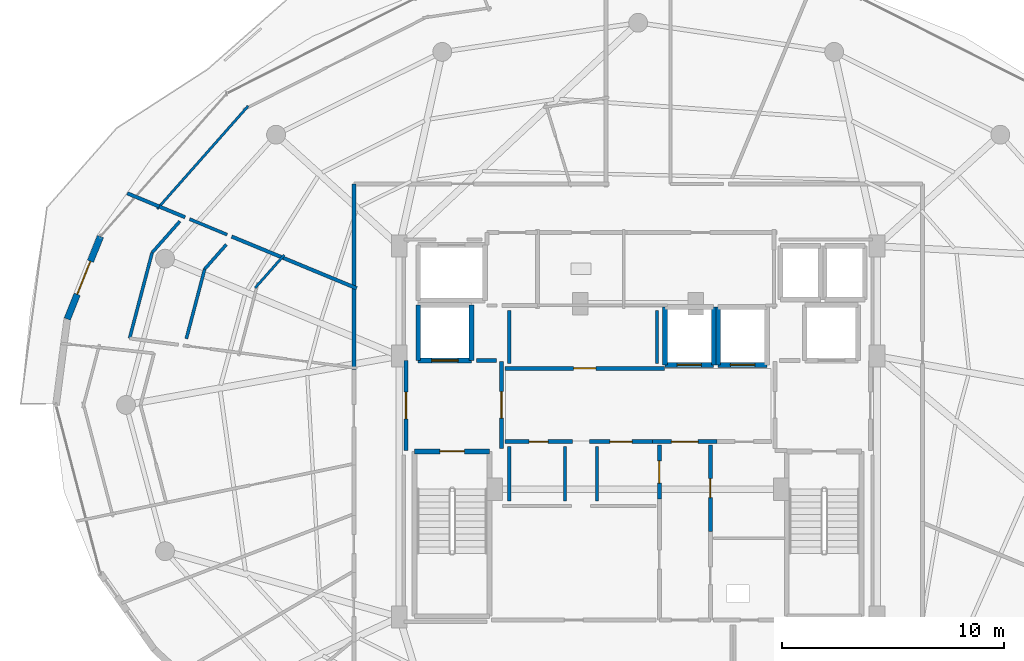
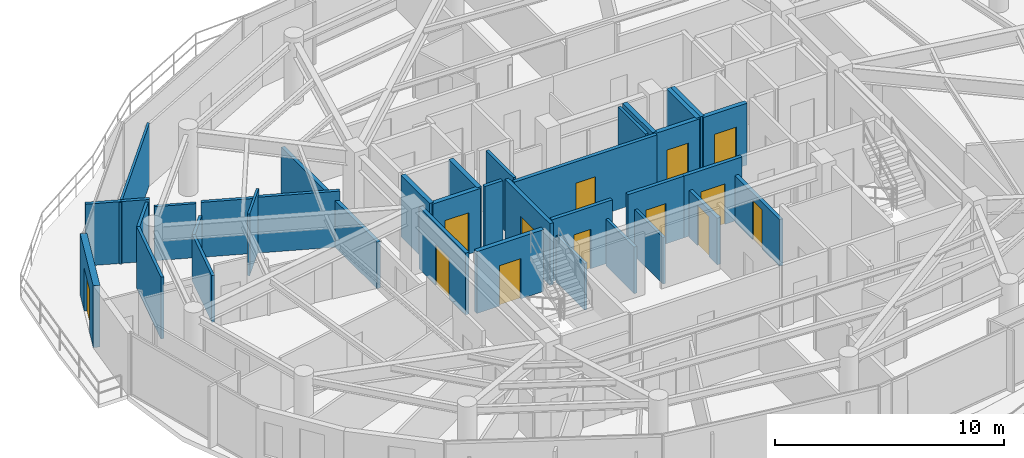
# One storey, part 23 of 30: 37 walls, 13 doors, 13 openings.
"""IFC4 building model written with IfcOpenShell, lengths in metres."""

from ifc_helpers import new_model, si_unit, direction, frame, frame_2d, origin, place, context, subcontext, project, spatial, rectangle, extrude, material, layer, layer_set, type_object, element, fill, save


model = new_model("IFC4")

# Units and contexts
model_context = context("Model", 3, precision=1e-05, world=origin(), true_north=direction((0.0, 1.0)))
body_context = subcontext(model_context, "Body", "Model", "MODEL_VIEW")
ifc_project = project(units=[si_unit("LENGTHUNIT", "METRE"), si_unit("AREAUNIT", "SQUARE_METRE"), si_unit("VOLUMEUNIT", "CUBIC_METRE"), si_unit("PLANEANGLEUNIT", "RADIAN"), si_unit("MASSUNIT", "GRAM", prefix="KILO")], contexts=[model_context])

# Site, building, storey
site_placement = place(None, origin())
site = spatial("IfcSite", under=ifc_project, at=site_placement, CompositionType="ELEMENT")
building_placement = place(site_placement, origin())
building = spatial("IfcBuilding", under=site, at=building_placement, Name="Vorneva Point Tower", CompositionType="ELEMENT")
storey_placement = place(building_placement, frame((0.0, 0.0, 241.35009765625)))
storey = spatial("IfcBuildingStorey", under=building, at=storey_placement, Name="L65", CompositionType="ELEMENT", Elevation=241.35009765625)

# Wall, opening, door
ifc_material_1 = material(Name="Concrete B60 (C50/60)", Category="concrete")
ifc_layer_1 = layer(ifc_material_1, 0.35009765625)
ifc_layer_set_1 = layer_set([ifc_layer_1], Name="Concrete B60 (C50/60)")
wall_type_1 = type_object("IfcWallType", Name="WL-CORE-350", PredefinedType="SHEAR", material=ifc_layer_set_1)
wall_1_placement = place(storey_placement, frame((28.10009765625, 28.0, 0.0), z_axis=(0.0, 0.0, 1.0), x_axis=(1.0, 0.0, 0.0)))
wall_1 = element("IfcWall", 1, at=wall_1_placement, inside=storey, type_object=wall_type_1, Name="L65 Lift FFL1 Shaft Wall -Y", PredefinedType="SHEAR", context=body_context, shape_type="SweptSolid", body=[
    extrude(rectangle(XDim=2.39990234375, YDim=0.219970703125, at=frame_2d((1.199951171875, 0.0))), origin(), (0.0, 0.0, 1.0), 3.289794921875),
])
opening_1_placement = place(wall_1_placement, frame((0.60009765625, 0.0, 0.0)))
opening_1 = element("IfcOpeningElement", 2, at=opening_1_placement, cuts=wall_1, Name="Opening LD-02", PredefinedType="OPENING", context=body_context, shape_type="SweptSolid", body=[
    extrude(rectangle(XDim=1.199951171875, YDim=2.199951171875, at=frame_2d((0.60009765625, 1.10009765625))), frame((0.0, 0.125, 0.0), z_axis=(0.0, -1.0, 0.0), x_axis=(1.0, 0.0, 0.0)), (0.0, 0.0, 1.0), 0.249755859375),
])
ifc_material_2 = material(Name="Brushed stainless steel S304", Category="steel")
door_type_1 = type_object("IfcDoorType", Name="LD-FIRE-1200", OperationType="SLIDING_TO_LEFT", PredefinedType="DOOR", material=ifc_material_2)
door_1_placement = place(opening_1_placement, origin())
door_1 = element("IfcDoor", 3, at=door_1_placement, inside=storey, type_object=door_type_1, Name="L65 Lift FFL1 Sliding Landing Door", OperationType="SLIDING_TO_LEFT", OverallHeight=2.199951171875, OverallWidth=1.199951171875, PredefinedType="DOOR", context=body_context, shape_type="SweptSolid", body=[
    extrude(rectangle(XDim=1.199951171875, YDim=2.199951171875, at=frame_2d((0.60009765625, 1.10009765625))), frame((0.0, 0.02490234375, 0.0), z_axis=(0.0, -1.0, 0.0), x_axis=(1.0, 0.0, 0.0)), (0.0, 0.0, 1.0), 0.050048828125),
])
fill(opening_1, door_1)

# Walls
for number, where, z_axis, x_axis, name in (
    (4, (30.5, 28.0, 0.0), (0.0, 0.0, 1.0), (0.0, 1.0, 0.0), "L65 Lift FFL1 Shaft Wall +X"),
    (5, (28.10009765625, 30.5, 0.0), (0.0, 0.0, 1.0), (0.0, -1.0, 0.0), "L65 Lift FFL1 Shaft Wall -X"),
):
    element("IfcWall", number, at=place(storey_placement, frame(where, z_axis=z_axis, x_axis=x_axis)), inside=storey, type_object=wall_type_1, Name=name, PredefinedType="SHEAR", context=body_context, shape_type="SweptSolid", body=[
        extrude(rectangle(XDim=2.5, YDim=0.219970703125, at=frame_2d((1.25, 0.0))), origin(), (0.0, 0.0, 1.0), 3.289794921875),
    ])

# Wall, opening, door
ifc_material_3 = material(Name="Precast concrete B50 (C40/50)", Category="concrete")
ifc_layer_2 = layer(ifc_material_3, 0.300048828125)
ifc_layer_set_2 = layer_set([ifc_layer_2], Name="Precast concrete B50 (C40/50)")
wall_type_2 = type_object("IfcWallType", Name="WL-EXT-300", PredefinedType="STANDARD", material=ifc_layer_set_2)
wall_2_placement = place(storey_placement, frame((13.79443359375, 33.5810546875, 0.0), z_axis=(0.0, 0.0, 1.0), x_axis=(-0.37234708598, -0.928093555393, 0.0)))
wall_2 = element("IfcWall", 6, at=wall_2_placement, inside=storey, type_object=wall_type_2, Name="L65 Pale-Metal Facade Spandrel Wall 08.1", PredefinedType="STANDARD", context=body_context, shape_type="SweptSolid", body=[
    extrude(rectangle(XDim=4.004150390625, YDim=0.300048828125, at=frame_2d((2.001953125, 0.0))), origin(), (0.0, 0.0, 1.0), 3.289794921875),
])
opening_2_placement = place(wall_2_placement, frame((1.2021484375, 0.0, 0.0)))
opening_2 = element("IfcOpeningElement", 7, at=opening_2_placement, cuts=wall_2, Name="Opening BD-01", PredefinedType="OPENING", context=body_context, shape_type="SweptSolid", body=[
    extrude(rectangle(XDim=1.60009765625, YDim=2.300048828125, at=frame_2d((0.800048828125, 1.14990234375))), frame((0.0, 0.1650390625, 0.0), z_axis=(0.0, -1.0, 0.0), x_axis=(1.0, 0.0, 0.0)), (0.0, 0.0, 1.0), 0.329833984375),
])
ifc_material_4 = material(Name="Pale anodised aluminium", Category="aluminium")
door_type_2 = type_object("IfcDoorType", Name="DR-BAL-1600", OperationType="SLIDING_TO_LEFT", PredefinedType="DOOR", material=ifc_material_4)
door_2_placement = place(opening_2_placement, origin())
door_2 = element("IfcDoor", 8, at=door_2_placement, inside=storey, type_object=door_type_2, Name="L65 Balcony Terrace Access Door 08", OperationType="SLIDING_TO_LEFT", OverallHeight=2.300048828125, OverallWidth=1.60009765625, PredefinedType="DOOR", context=body_context, shape_type="SweptSolid", body=[
    extrude(rectangle(XDim=1.60009765625, YDim=2.300048828125, at=frame_2d((0.800048828125, 1.14990234375))), frame((0.0, 0.02490234375, 0.0), z_axis=(0.0, -1.0, 0.0), x_axis=(1.0, 0.0, 0.0)), (0.0, 0.0, 1.0), 0.050048828125),
])
fill(opening_2, door_2)

# Walls
ifc_material_5 = material(Name="Fire-rated acoustic gypsum stud partition", Category="gypsum")
ifc_layer_3 = layer(ifc_material_5, 0.110107421875)
ifc_layer_set_3 = layer_set([ifc_layer_3], Name="Fire-rated acoustic gypsum stud partition")
wall_type_3 = type_object("IfcWallType", Name="WL-PART-110", PredefinedType="PARTITIONING", material=ifc_layer_set_3)
wall_3_placement = place(storey_placement, frame((20.443603515625, 39.451904296875, 0.0), z_axis=(0.0, 0.0, 1.0), x_axis=(-0.662167862663, -0.749355537549, 0.0)))
element("IfcWall", 9, at=wall_3_placement, inside=storey, type_object=wall_type_3, Name="L65 Interior Partition 058", PredefinedType="PARTITIONING", context=body_context, shape_type="SweptSolid", body=[
    extrude(rectangle(XDim=6.17724609375, YDim=0.110107421875, at=frame_2d((3.088623046875, 0.0))), origin(), (0.0, 0.0, 1.0), 3.289794921875),
])
wall_4_placement = place(storey_placement, frame((20.76025390625, 31.26611328125, 0.0), z_axis=(0.0, 0.0, 1.0), x_axis=(0.662047420969, 0.749461948593, 0.0)))
element("IfcWall", 10, at=wall_4_placement, inside=storey, type_object=wall_type_3, Name="L65 Interior Partition 074", PredefinedType="PARTITIONING", context=body_context, shape_type="SweptSolid", body=[
    extrude(rectangle(XDim=1.9716796875, YDim=0.110107421875, at=frame_2d((0.98583984375, 0.0))), origin(), (0.0, 0.0, 1.0), 3.289794921875),
])
ifc_layer_4 = layer(ifc_material_5, 0.139892578125)
ifc_layer_set_4 = layer_set([ifc_layer_4], Name="Fire-rated acoustic gypsum stud partition")
wall_type_4 = type_object("IfcWallType", Name="WL-PART-140", PredefinedType="PARTITIONING", material=ifc_layer_set_4)
for number, where, z_axis, x_axis, name in (
    (11, (32.199951171875, 30.260009765625, 0.0), (0.0, 0.0, 1.0), (0.0, -1.0, 0.0), "L65 Interior Closure Partition 096"),
    (12, (38.85009765625, 27.8701171875, 0.0), (0.0, 0.0, 1.0), (0.0, 1.0, 0.0), "L65 Interior Closure Partition 097"),
):
    element("IfcWall", number, at=place(storey_placement, frame(where, z_axis=z_axis, x_axis=x_axis)), inside=storey, type_object=wall_type_4, Name=name, PredefinedType="PARTITIONING", context=body_context, shape_type="SweptSolid", body=[
        extrude(rectangle(XDim=2.389892578125, YDim=0.139892578125, at=frame_2d((1.19482421875, 0.0))), origin(), (0.0, 0.0, 1.0), 3.289794921875),
    ])
for number, where, z_axis, x_axis, name in (
    (13, (32.199951171875, 24.1298828125, 0.0), (0.0, 0.0, 1.0), (0.0, -1.0, 0.0), "L65 Interior Closure Partition 098"),
    (14, (34.699951171875, 21.669921875, 0.0), (0.0, 0.0, 1.0), (0.0, 1.0, 0.0), "L65 Interior Closure Partition 099"),
    (15, (36.14990234375, 24.1298828125, 0.0), (0.0, 0.0, 1.0), (0.0, -1.0, 0.0), "L65 Interior Closure Partition 100"),
):
    element("IfcWall", number, at=place(storey_placement, frame(where, z_axis=z_axis, x_axis=x_axis)), inside=storey, type_object=wall_type_4, Name=name, PredefinedType="PARTITIONING", context=body_context, shape_type="SweptSolid", body=[
        extrude(rectangle(XDim=2.4599609375, YDim=0.139892578125, at=frame_2d((1.22998046875, 0.0))), origin(), (0.0, 0.0, 1.0), 2.48193359375),
    ])
wall_5_placement = place(storey_placement, frame((17.81005859375, 34.363037109375, 0.0), z_axis=(0.0, 0.0, 1.0), x_axis=(0.923888322618, -0.382662210481, 0.0)))
element("IfcWall", 16, at=wall_5_placement, inside=storey, type_object=wall_type_4, Name="L65 Interior Closure Partition 116", PredefinedType="PARTITIONING", context=body_context, shape_type="SweptSolid", body=[
    extrude(rectangle(XDim=1.8291015625, YDim=0.139892578125, at=frame_2d((0.91455078125, 0.0))), origin(), (0.0, 0.0, 1.0), 2.8740234375),
])
wall_6_placement = place(storey_placement, frame((15.10791015625, 28.993896484375, 0.0), z_axis=(0.0, 0.0, 1.0), x_axis=(0.254393917139, 0.967100684997, 0.0)))
element("IfcWall", 17, at=wall_6_placement, inside=storey, type_object=wall_type_4, Name="L65 Interior Closure Partition 118", PredefinedType="PARTITIONING", context=body_context, shape_type="SweptSolid", body=[
    extrude(rectangle(XDim=3.990478515625, YDim=0.139892578125, at=frame_2d((1.9951171875, 0.0))), origin(), (0.0, 0.0, 1.0), 3.289794921875),
])
wall_7_placement = place(storey_placement, frame((16.123046875, 32.85302734375, 0.0), z_axis=(0.0, 0.0, 1.0), x_axis=(0.662302679983, 0.749236384652, 0.0)))
element("IfcWall", 18, at=wall_7_placement, inside=storey, type_object=wall_type_4, Name="L65 Interior Closure Partition 119", PredefinedType="PARTITIONING", context=body_context, shape_type="SweptSolid", body=[
    extrude(rectangle(XDim=1.884521484375, YDim=0.139892578125, at=frame_2d((0.9423828125, 0.0))), origin(), (0.0, 0.0, 1.0), 3.289794921875),
])
wall_8_placement = place(storey_placement, frame((19.4619140625, 33.215087890625, 0.0), z_axis=(0.0, 0.0, 1.0), x_axis=(-0.661857573224, -0.749629610385, 0.0)))
element("IfcWall", 19, at=wall_8_placement, inside=storey, type_object=wall_type_4, Name="L65 Interior Closure Partition 120", PredefinedType="PARTITIONING", context=body_context, shape_type="SweptSolid", body=[
    extrude(rectangle(XDim=1.471435546875, YDim=0.139892578125, at=frame_2d((0.73583984375, 0.0))), origin(), (0.0, 0.0, 1.0), 2.48193359375),
])
wall_9_placement = place(storey_placement, frame((18.488037109375, 32.112060546875, 0.0), z_axis=(0.0, 0.0, 1.0), x_axis=(-0.254626828673, -0.967039388091, 0.0)))
element("IfcWall", 20, at=wall_9_placement, inside=storey, type_object=wall_type_4, Name="L65 Interior Closure Partition 121", PredefinedType="PARTITIONING", context=body_context, shape_type="SweptSolid", body=[
    extrude(rectangle(XDim=3.23974609375, YDim=0.139892578125, at=frame_2d((1.619873046875, 0.0))), origin(), (0.0, 0.0, 1.0), 2.48193359375),
])
ifc_layer_5 = layer(ifc_material_5, 0.159912109375)
ifc_layer_set_5 = layer_set([ifc_layer_5], Name="Fire-rated acoustic gypsum stud partition")
wall_type_5 = type_object("IfcWallType", Name="WL-PART-160", PredefinedType="PARTITIONING", material=ifc_layer_set_5)
wall_10_placement = place(storey_placement, frame((16.446044921875, 34.927978515625, 0.0), z_axis=(0.0, 0.0, 1.0), x_axis=(0.923851056351, -0.382752172663, 0.0)))
element("IfcWall", 21, at=wall_10_placement, inside=storey, type_object=wall_type_5, Name="L65 Interior Partition 060", PredefinedType="PARTITIONING", context=body_context, shape_type="SweptSolid", body=[
    extrude(rectangle(XDim=1.256591796875, YDim=0.159912109375, at=frame_2d((0.62841796875, 0.0))), origin(), (0.0, 0.0, 1.0), 3.289794921875),
])
wall_11_placement = place(storey_placement, frame((19.702880859375, 33.5791015625, 0.0), z_axis=(0.0, 0.0, 1.0), x_axis=(0.923878502515, -0.382685918986, 0.0)))
element("IfcWall", 22, at=wall_11_placement, inside=storey, type_object=wall_type_5, Name="L65 Interior Partition 061", PredefinedType="PARTITIONING", context=body_context, shape_type="SweptSolid", body=[
    extrude(rectangle(XDim=2.516845703125, YDim=0.159912109375, at=frame_2d((1.25830078125, 0.0))), origin(), (0.0, 0.0, 1.0), 2.923828125),
])
wall_12_placement = place(storey_placement, frame((21.898681640625, 32.66943359375, 0.0), z_axis=(0.0, 0.0, 1.0), x_axis=(0.9238685833, -0.382709865029, 0.0)))
element("IfcWall", 23, at=wall_12_placement, inside=storey, type_object=wall_type_5, Name="L65 Interior Partition 062", PredefinedType="PARTITIONING", context=body_context, shape_type="SweptSolid", body=[
    extrude(rectangle(XDim=3.71337890625, YDim=0.159912109375, at=frame_2d((1.856689453125, 0.0))), origin(), (0.0, 0.0, 1.0), 2.971923828125),
])
wall_13_placement = place(storey_placement, frame((15.003662109375, 35.525634765625, 0.0), z_axis=(0.0, 0.0, 1.0), x_axis=(0.923843638485, -0.382770076719, 0.0)))
element("IfcWall", 24, at=wall_13_placement, inside=storey, type_object=wall_type_5, Name="L65 Interior Partition 063", PredefinedType="PARTITIONING", context=body_context, shape_type="SweptSolid", body=[
    extrude(rectangle(XDim=1.701171875, YDim=0.159912109375, at=frame_2d((0.8505859375, 0.0))), origin(), (0.0, 0.0, 1.0), 3.289794921875),
])

# Wall, opening, door
ifc_material_6 = material(Name="Autoclaved aerated concrete blockwork", Category="masonry")
ifc_layer_6 = layer(ifc_material_6, 0.179931640625)
ifc_layer_set_6 = layer_set([ifc_layer_6], Name="Autoclaved aerated concrete blockwork")
wall_type_6 = type_object("IfcWallType", Name="WL-PART-180", PredefinedType="PARTITIONING", material=ifc_layer_set_6)
wall_14_placement = place(storey_placement, frame((31.85009765625, 24.044921875, 0.0), z_axis=(0.0, 0.0, 1.0), x_axis=(0.0, 1.0, 0.0)))
wall_14 = element("IfcWall", 25, at=wall_14_placement, inside=storey, type_object=wall_type_6, Name="L65 Interior Partition 001", PredefinedType="PARTITIONING", context=body_context, shape_type="SweptSolid", body=[
    extrude(rectangle(XDim=3.91015625, YDim=0.179931640625, at=frame_2d((1.955078125, 0.0))), origin(), (0.0, 0.0, 1.0), 3.289794921875),
])
opening_3_placement = place(wall_14_placement, frame((1.35498046875, 0.0, 0.0)))
opening_3 = element("IfcOpeningElement", 26, at=opening_3_placement, cuts=wall_14, Name="Opening FD-02", PredefinedType="OPENING", context=body_context, shape_type="SweptSolid", body=[
    extrude(rectangle(XDim=1.199951171875, YDim=2.14990234375, at=frame_2d((0.60009765625, 1.074951171875))), frame((0.0, 0.10498046875, 0.0), z_axis=(0.0, -1.0, 0.0), x_axis=(1.0, 0.0, 0.0)), (0.0, 0.0, 1.0), 0.209716796875),
])
ifc_material_7 = material(Name="Fire-rated powder-coated steel", Category="steel")
door_type_3 = type_object("IfcDoorType", Name="DR-FFL-1200", OperationType="NOTDEFINED", PredefinedType="DOOR", material=ifc_material_7)
door_3_placement = place(opening_3_placement, origin())
door_3 = element("IfcDoor", 27, at=door_3_placement, inside=storey, type_object=door_type_3, Name="L65 Door West Firefighting Lobby / Central Lift Lobby", OperationType="SINGLE_SWING_RIGHT", OverallHeight=2.14990234375, OverallWidth=1.199951171875, PredefinedType="DOOR", context=body_context, shape_type="SweptSolid", body=[
    extrude(rectangle(XDim=1.199951171875, YDim=2.14990234375, at=frame_2d((0.60009765625, 1.074951171875))), frame((0.0, 0.02490234375, 0.0), z_axis=(0.0, -1.0, 0.0), x_axis=(1.0, 0.0, 0.0)), (0.0, 0.0, 1.0), 0.050048828125),
])
fill(opening_3, door_3)

wall_15_placement = place(storey_placement, frame((27.550048828125, 28.0, 0.0), z_axis=(0.0, 0.0, 1.0), x_axis=(0.0, -1.0, 0.0)))
wall_15 = element("IfcWall", 28, at=wall_15_placement, inside=storey, type_object=wall_type_6, Name="L65 Interior Partition 002", PredefinedType="PARTITIONING", context=body_context, shape_type="SweptSolid", body=[
    extrude(rectangle(XDim=4.050048828125, YDim=0.179931640625, at=frame_2d((2.02490234375, 0.0))), origin(), (0.0, 0.0, 1.0), 3.289794921875),
])
opening_4_placement = place(wall_15_placement, frame((1.425048828125, 0.0, 0.0)))
opening_4 = element("IfcOpeningElement", 29, at=opening_4_placement, cuts=wall_15, Name="Opening FD-02", PredefinedType="OPENING", context=body_context, shape_type="SweptSolid", body=[
    extrude(rectangle(XDim=1.199951171875, YDim=2.14990234375, at=frame_2d((0.60009765625, 1.074951171875))), frame((0.0, 0.10498046875, 0.0), z_axis=(0.0, -1.0, 0.0), x_axis=(1.0, 0.0, 0.0)), (0.0, 0.0, 1.0), 0.209716796875),
])
door_4_placement = place(opening_4_placement, origin())
door_4 = element("IfcDoor", 30, at=door_4_placement, inside=storey, type_object=door_type_3, Name="L65 Door West Firefighting Lobby / L65 Circulation Corridor", OperationType="SINGLE_SWING_RIGHT", OverallHeight=2.14990234375, OverallWidth=1.199951171875, PredefinedType="DOOR", context=body_context, shape_type="SweptSolid", body=[
    extrude(rectangle(XDim=1.199951171875, YDim=2.14990234375, at=frame_2d((0.60009765625, 1.074951171875))), frame((0.0, 0.02490234375, 0.0), z_axis=(0.0, -1.0, 0.0), x_axis=(1.0, 0.0, 0.0)), (0.0, 0.0, 1.0), 0.050048828125),
])
fill(opening_4, door_4)

wall_16_placement = place(storey_placement, frame((38.64501953125, 24.35009765625, 0.0), z_axis=(0.0, 0.0, 1.0), x_axis=(1.0, 0.0, 0.0)))
wall_16 = element("IfcWall", 31, at=wall_16_placement, inside=storey, type_object=wall_type_6, Name="L65 Interior Partition 010", PredefinedType="PARTITIONING", context=body_context, shape_type="SweptSolid", body=[
    extrude(rectangle(XDim=2.909912109375, YDim=0.179931640625, at=frame_2d((1.455078125, 0.0))), origin(), (0.0, 0.0, 1.0), 3.289794921875),
])
opening_5_placement = place(wall_16_placement, frame((0.85498046875, 0.0, 0.0)))
opening_5 = element("IfcOpeningElement", 32, at=opening_5_placement, cuts=wall_16, Name="Opening FD-02", PredefinedType="OPENING", context=body_context, shape_type="SweptSolid", body=[
    extrude(rectangle(XDim=1.199951171875, YDim=2.14990234375, at=frame_2d((0.60009765625, 1.074951171875))), frame((0.0, 0.10498046875, 0.0), z_axis=(0.0, -1.0, 0.0), x_axis=(1.0, 0.0, 0.0)), (0.0, 0.0, 1.0), 0.209716796875),
])
door_5_placement = place(opening_5_placement, origin())
door_5 = element("IfcDoor", 33, at=door_5_placement, inside=storey, type_object=door_type_3, Name="L65 Door Central Lift Lobby / Core Service Lobby", OperationType="SINGLE_SWING_LEFT", OverallHeight=2.14990234375, OverallWidth=1.199951171875, PredefinedType="DOOR", context=body_context, shape_type="SweptSolid", body=[
    extrude(rectangle(XDim=1.199951171875, YDim=2.14990234375, at=frame_2d((0.60009765625, 1.074951171875))), frame((0.0, 0.02490234375, 0.0), z_axis=(0.0, -1.0, 0.0), x_axis=(1.0, 0.0, 0.0)), (0.0, 0.0, 1.0), 0.050048828125),
])
fill(opening_5, door_5)

wall_17_placement = place(storey_placement, frame((39.18994140625, 27.64990234375, 0.0), z_axis=(0.0, 0.0, 1.0), x_axis=(-1.0, 0.0, 0.0)))
wall_17 = element("IfcWall", 34, at=wall_17_placement, inside=storey, type_object=wall_type_6, Name="L65 Interior Partition 012", PredefinedType="PARTITIONING", context=body_context, shape_type="SweptSolid", body=[
    extrude(rectangle(XDim=7.18994140625, YDim=0.179931640625, at=frame_2d((3.594970703125, 0.0))), origin(), (0.0, 0.0, 1.0), 3.289794921875),
])
opening_6_placement = place(wall_17_placement, frame((3.094970703125, 0.0, 0.0)))
opening_6 = element("IfcOpeningElement", 35, at=opening_6_placement, cuts=wall_17, Name="Opening UD-01", PredefinedType="OPENING", context=body_context, shape_type="SweptSolid", body=[
    extrude(rectangle(XDim=1.0, YDim=2.14990234375, at=frame_2d((0.5, 1.074951171875))), frame((0.0, 0.10498046875, 0.0), z_axis=(0.0, -1.0, 0.0), x_axis=(1.0, 0.0, 0.0)), (0.0, 0.0, 1.0), 0.209716796875),
])
ifc_material_8 = material(Name="Engineered oak fire-rated door leaf", Category="wood")
door_type_4 = type_object("IfcDoorType", Name="DR-UNIT-1000", OperationType="NOTDEFINED", PredefinedType="DOOR", material=ifc_material_8)
door_6_placement = place(opening_6_placement, origin())
door_6 = element("IfcDoor", 36, at=door_6_placement, inside=storey, type_object=door_type_4, Name="L65 Door Central Lift Lobby / Reclaimed Core Meeting Room", OperationType="SINGLE_SWING_LEFT", OverallHeight=2.14990234375, OverallWidth=1.0, PredefinedType="DOOR", context=body_context, shape_type="SweptSolid", body=[
    extrude(rectangle(XDim=1.0, YDim=2.14990234375, at=frame_2d((0.5, 1.074951171875))), frame((0.0, 0.02490234375, 0.0), z_axis=(0.0, -1.0, 0.0), x_axis=(1.0, 0.0, 0.0)), (0.0, 0.0, 1.0), 0.050048828125),
])
fill(opening_6, door_6)

wall_18_placement = place(storey_placement, frame((32.0, 24.35009765625, 0.0), z_axis=(0.0, 0.0, 1.0), x_axis=(1.0, 0.0, 0.0)))
wall_18 = element("IfcWall", 37, at=wall_18_placement, inside=storey, type_object=wall_type_6, Name="L65 Interior Partition 013", PredefinedType="PARTITIONING", context=body_context, shape_type="SweptSolid", body=[
    extrude(rectangle(XDim=3.0400390625, YDim=0.179931640625, at=frame_2d((1.52001953125, 0.0))), origin(), (0.0, 0.0, 1.0), 3.289794921875),
])
opening_7_placement = place(wall_18_placement, frame((1.094970703125, 0.0, 0.0)))
opening_7 = element("IfcOpeningElement", 38, at=opening_7_placement, cuts=wall_18, Name="Opening ID-02", PredefinedType="OPENING", context=body_context, shape_type="SweptSolid", body=[
    extrude(rectangle(XDim=0.85009765625, YDim=2.10009765625, at=frame_2d((0.425048828125, 1.050048828125))), frame((0.0, 0.10498046875, 0.0), z_axis=(0.0, -1.0, 0.0), x_axis=(1.0, 0.0, 0.0)), (0.0, 0.0, 1.0), 0.209716796875),
])
door_type_5 = type_object("IfcDoorType", Name="DR-BATH-850", OperationType="NOTDEFINED", PredefinedType="DOOR", material=ifc_material_8)
door_7_placement = place(opening_7_placement, origin())
door_7 = element("IfcDoor", 39, at=door_7_placement, inside=storey, type_object=door_type_5, Name="L65 Door Central Lift Lobby / Reclaimed High-Zone Valet Room", OperationType="SINGLE_SWING_RIGHT", OverallHeight=2.10009765625, OverallWidth=0.85009765625, PredefinedType="DOOR", context=body_context, shape_type="SweptSolid", body=[
    extrude(rectangle(XDim=0.85009765625, YDim=2.10009765625, at=frame_2d((0.425048828125, 1.050048828125))), frame((0.0, 0.02490234375, 0.0), z_axis=(0.0, -1.0, 0.0), x_axis=(1.0, 0.0, 0.0)), (0.0, 0.0, 1.0), 0.050048828125),
])
fill(opening_7, door_7)

wall_19_placement = place(storey_placement, frame((35.81005859375, 24.35009765625, 0.0), z_axis=(0.0, 0.0, 1.0), x_axis=(1.0, 0.0, 0.0)))
wall_19 = element("IfcWall", 40, at=wall_19_placement, inside=storey, type_object=wall_type_6, Name="L65 Interior Partition 014", PredefinedType="PARTITIONING", context=body_context, shape_type="SweptSolid", body=[
    extrude(rectangle(XDim=2.8349609375, YDim=0.179931640625, at=frame_2d((1.41748046875, 0.0))), origin(), (0.0, 0.0, 1.0), 3.289794921875),
])
opening_8_placement = place(wall_19_placement, frame((0.91748046875, 0.0, 0.0)))
opening_8 = element("IfcOpeningElement", 41, at=opening_8_placement, cuts=wall_19, Name="Opening UD-01", PredefinedType="OPENING", context=body_context, shape_type="SweptSolid", body=[
    extrude(rectangle(XDim=1.0, YDim=2.14990234375, at=frame_2d((0.5, 1.074951171875))), frame((0.0, 0.10498046875, 0.0), z_axis=(0.0, -1.0, 0.0), x_axis=(1.0, 0.0, 0.0)), (0.0, 0.0, 1.0), 0.209716796875),
])
door_8_placement = place(opening_8_placement, origin())
door_8 = element("IfcDoor", 42, at=door_8_placement, inside=storey, type_object=door_type_4, Name="L65 Door Central Lift Lobby / Reclaimed High-Zone Tasting Room", OperationType="SINGLE_SWING_LEFT", OverallHeight=2.14990234375, OverallWidth=1.0, PredefinedType="DOOR", context=body_context, shape_type="SweptSolid", body=[
    extrude(rectangle(XDim=1.0, YDim=2.14990234375, at=frame_2d((0.5, 1.074951171875))), frame((0.0, 0.02490234375, 0.0), z_axis=(0.0, -1.0, 0.0), x_axis=(1.0, 0.0, 0.0)), (0.0, 0.0, 1.0), 0.050048828125),
])
fill(opening_8, door_8)

wall_20_placement = place(storey_placement, frame((41.25, 20.304931640625, 0.0), z_axis=(0.0, 0.0, 1.0), x_axis=(0.0, 1.0, 0.0)))
wall_20 = element("IfcWall", 43, at=wall_20_placement, inside=storey, type_object=wall_type_6, Name="L65 Interior Partition 016", PredefinedType="PARTITIONING", context=body_context, shape_type="SweptSolid", body=[
    extrude(rectangle(XDim=3.89501953125, YDim=0.179931640625, at=frame_2d((1.947509765625, 0.0))), origin(), (0.0, 0.0, 1.0), 2.48193359375),
])
opening_9_placement = place(wall_20_placement, frame((1.5224609375, 0.0, 0.0)))
opening_9 = element("IfcOpeningElement", 44, at=opening_9_placement, cuts=wall_20, Name="Opening ID-02", PredefinedType="OPENING", context=body_context, shape_type="SweptSolid", body=[
    extrude(rectangle(XDim=0.85009765625, YDim=2.10009765625, at=frame_2d((0.425048828125, 1.050048828125))), frame((0.0, 0.10498046875, 0.0), z_axis=(0.0, -1.0, 0.0), x_axis=(1.0, 0.0, 0.0)), (0.0, 0.0, 1.0), 0.209716796875),
])
door_9_placement = place(opening_9_placement, origin())
door_9 = element("IfcDoor", 45, at=door_9_placement, inside=storey, type_object=door_type_5, Name="L65 Door Core Service Lobby / Cleaners Store", OperationType="SINGLE_SWING_LEFT", OverallHeight=2.10009765625, OverallWidth=0.85009765625, PredefinedType="DOOR", context=body_context, shape_type="SweptSolid", body=[
    extrude(rectangle(XDim=0.85009765625, YDim=2.10009765625, at=frame_2d((0.425048828125, 1.050048828125))), frame((0.0, 0.02490234375, 0.0), z_axis=(0.0, -1.0, 0.0), x_axis=(1.0, 0.0, 0.0)), (0.0, 0.0, 1.0), 0.050048828125),
])
fill(opening_9, door_9)

wall_21_placement = place(storey_placement, frame((38.949951171875, 24.199951171875, 0.0), z_axis=(0.0, 0.0, 1.0), x_axis=(0.0, -1.0, 0.0)))
wall_21 = element("IfcWall", 46, at=wall_21_placement, inside=storey, type_object=wall_type_6, Name="L65 Interior Partition 018", PredefinedType="PARTITIONING", context=body_context, shape_type="SweptSolid", body=[
    extrude(rectangle(XDim=2.445068359375, YDim=0.179931640625, at=frame_2d((1.22265625, 0.0))), origin(), (0.0, 0.0, 1.0), 2.48193359375),
])
opening_10_placement = place(wall_21_placement, frame((0.722412109375, 0.0, 0.0)))
opening_10 = element("IfcOpeningElement", 47, at=opening_10_placement, cuts=wall_21, Name="Opening UD-01", PredefinedType="OPENING", context=body_context, shape_type="SweptSolid", body=[
    extrude(rectangle(XDim=1.0, YDim=2.14990234375, at=frame_2d((0.5, 1.074951171875))), frame((0.0, 0.10498046875, 0.0), z_axis=(0.0, -1.0, 0.0), x_axis=(1.0, 0.0, 0.0)), (0.0, 0.0, 1.0), 0.209716796875),
])
door_10_placement = place(opening_10_placement, origin())
door_10 = element("IfcDoor", 48, at=door_10_placement, inside=storey, type_object=door_type_4, Name="L65 Door Core Service Lobby / Reclaimed High-Zone Tasting Room", OperationType="SINGLE_SWING_LEFT", OverallHeight=2.14990234375, OverallWidth=1.0, PredefinedType="DOOR", context=body_context, shape_type="SweptSolid", body=[
    extrude(rectangle(XDim=1.0, YDim=2.14990234375, at=frame_2d((0.5, 1.074951171875))), frame((0.0, 0.02490234375, 0.0), z_axis=(0.0, -1.0, 0.0), x_axis=(1.0, 0.0, 0.0)), (0.0, 0.0, 1.0), 0.050048828125),
])
fill(opening_10, door_10)

# Walls
wall_22_placement = place(storey_placement, frame((25.199951171875, 35.949951171875, 0.0), z_axis=(0.0, 0.0, 1.0), x_axis=(0.0, -1.0, 0.0)))
element("IfcWall", 49, at=wall_22_placement, inside=storey, type_object=wall_type_6, Name="L65 Interior Partition 034", PredefinedType="PARTITIONING", context=body_context, shape_type="SweptSolid", body=[
    extrude(rectangle(XDim=4.7080078125, YDim=0.179931640625, at=frame_2d((2.35400390625, 0.0))), origin(), (0.0, 0.0, 1.0), 2.48193359375),
])
wall_23_placement = place(storey_placement, frame((25.199951171875, 31.382080078125, 0.0), z_axis=(0.0, 0.0, 1.0), x_axis=(0.0, -1.0, 0.0)))
element("IfcWall", 50, at=wall_23_placement, inside=storey, type_object=wall_type_6, Name="L65 Interior Partition 038", PredefinedType="PARTITIONING", context=body_context, shape_type="SweptSolid", body=[
    extrude(rectangle(XDim=3.787109375, YDim=0.179931640625, at=frame_2d((1.8935546875, 0.0))), origin(), (0.0, 0.0, 1.0), 2.48193359375),
])
wall_24_placement = place(storey_placement, frame((31.635009765625, 28.0, 0.0), z_axis=(0.0, 0.0, 1.0), x_axis=(-1.0, 0.0, 0.0)))
element("IfcWall", 51, at=wall_24_placement, inside=storey, type_object=wall_type_6, Name="L65 Interior Closure Partition 091", PredefinedType="PARTITIONING", context=body_context, shape_type="SweptSolid", body=[
    extrude(rectangle(XDim=0.9150390625, YDim=0.179931640625, at=frame_2d((0.45751953125, 0.0))), origin(), (0.0, 0.0, 1.0), 3.289794921875),
])

# Wall, opening, door
ifc_material_9 = material(Name="Concrete B50 (C40/50)", Category="concrete")
ifc_layer_7 = layer(ifc_material_9, 0.219970703125)
ifc_layer_set_7 = layer_set([ifc_layer_7], Name="Concrete B50 (C40/50)")
wall_type_7 = type_object("IfcWallType", Name="WL-SHFT-220", PredefinedType="SOLIDWALL", material=ifc_layer_set_7)
wall_25_placement = place(storey_placement, frame((27.93994140625, 23.909912109375, 0.0), z_axis=(0.0, 0.0, 1.0), x_axis=(1.0, 0.0, 0.0)))
wall_25 = element("IfcWall", 52, at=wall_25_placement, inside=storey, type_object=wall_type_7, Name="L65 Exit Stair ST1 Shaft Wall near", PredefinedType="SOLIDWALL", context=body_context, shape_type="SweptSolid", body=[
    extrude(rectangle(XDim=3.3701171875, YDim=0.219970703125, at=frame_2d((1.68505859375, 0.0))), origin(), (0.0, 0.0, 1.0), 3.289794921875),
])
opening_11_placement = place(wall_25_placement, frame((1.135009765625, 0.0, 0.0)))
opening_11 = element("IfcOpeningElement", 53, at=opening_11_placement, cuts=wall_25, Name="Opening FD-01", PredefinedType="OPENING", context=body_context, shape_type="SweptSolid", body=[
    extrude(rectangle(XDim=1.10009765625, YDim=2.14990234375, at=frame_2d((0.550048828125, 1.074951171875))), frame((0.0, 0.125, 0.0), z_axis=(0.0, -1.0, 0.0), x_axis=(1.0, 0.0, 0.0)), (0.0, 0.0, 1.0), 0.249755859375),
])
door_type_6 = type_object("IfcDoorType", Name="DR-STAIR-1100", OperationType="NOTDEFINED", PredefinedType="DOOR", material=ifc_material_7)
door_11_placement = place(opening_11_placement, origin())
door_11 = element("IfcDoor", 54, at=door_11_placement, inside=storey, type_object=door_type_6, Name="L65 Exit Stair ST1 Fire Door", OperationType="SINGLE_SWING_LEFT", OverallHeight=2.14990234375, OverallWidth=1.10009765625, PredefinedType="DOOR", context=body_context, shape_type="SweptSolid", body=[
    extrude(rectangle(XDim=1.10009765625, YDim=2.14990234375, at=frame_2d((0.550048828125, 1.074951171875))), frame((0.0, 0.02490234375, 0.0), z_axis=(0.0, -1.0, 0.0), x_axis=(1.0, 0.0, 0.0)), (0.0, 0.0, 1.0), 0.050048828125),
])
fill(opening_11, door_11)

wall_26_placement = place(storey_placement, frame((39.199951171875, 27.800048828125, 0.0), z_axis=(0.0, 0.0, 1.0), x_axis=(1.0, 0.0, 0.0)))
wall_26 = element("IfcWall", 55, at=wall_26_placement, inside=storey, type_object=wall_type_7, Name="L65 Lift PL7 Shaft Wall -Y", PredefinedType="SOLIDWALL", context=body_context, shape_type="SweptSolid", body=[
    extrude(rectangle(XDim=2.199951171875, YDim=0.219970703125, at=frame_2d((1.10009765625, 0.0))), origin(), (0.0, 0.0, 1.0), 3.289794921875),
])
opening_12_placement = place(wall_26_placement, frame((0.550048828125, 0.0, 0.0)))
opening_12 = element("IfcOpeningElement", 56, at=opening_12_placement, cuts=wall_26, Name="Opening LD-01", PredefinedType="OPENING", context=body_context, shape_type="SweptSolid", body=[
    extrude(rectangle(XDim=1.10009765625, YDim=2.199951171875, at=frame_2d((0.550048828125, 1.10009765625))), frame((0.0, 0.125, 0.0), z_axis=(0.0, -1.0, 0.0), x_axis=(1.0, 0.0, 0.0)), (0.0, 0.0, 1.0), 0.249755859375),
])
door_type_7 = type_object("IfcDoorType", Name="LD-PASS-1100", OperationType="SLIDING_TO_LEFT", PredefinedType="DOOR", material=ifc_material_2)
door_12_placement = place(opening_12_placement, origin())
door_12 = element("IfcDoor", 57, at=door_12_placement, inside=storey, type_object=door_type_7, Name="L65 Lift PL7 Sliding Landing Door", OperationType="SLIDING_TO_LEFT", OverallHeight=2.199951171875, OverallWidth=1.10009765625, PredefinedType="DOOR", context=body_context, shape_type="SweptSolid", body=[
    extrude(rectangle(XDim=1.10009765625, YDim=2.199951171875, at=frame_2d((0.550048828125, 1.10009765625))), frame((0.0, 0.02490234375, 0.0), z_axis=(0.0, -1.0, 0.0), x_axis=(1.0, 0.0, 0.0)), (0.0, 0.0, 1.0), 0.050048828125),
])
fill(opening_12, door_12)

# Walls
for number, where, z_axis, x_axis, name in (
    (58, (41.39990234375, 27.800048828125, 0.0), (0.0, 0.0, 1.0), (0.0, 1.0, 0.0), "L65 Lift PL7 Shaft Wall +X"),
    (59, (39.199951171875, 30.39990234375, 0.0), (0.0, 0.0, 1.0), (0.0, -1.0, 0.0), "L65 Lift PL7 Shaft Wall -X"),
):
    element("IfcWall", number, at=place(storey_placement, frame(where, z_axis=z_axis, x_axis=x_axis)), inside=storey, type_object=wall_type_7, Name=name, PredefinedType="SOLIDWALL", context=body_context, shape_type="SweptSolid", body=[
        extrude(rectangle(XDim=2.599853515625, YDim=0.219970703125, at=frame_2d((1.2998046875, 0.0))), origin(), (0.0, 0.0, 1.0), 3.289794921875),
    ])

# Wall, opening, door
wall_27_placement = place(storey_placement, frame((41.60009765625, 27.800048828125, 0.0), z_axis=(0.0, 0.0, 1.0), x_axis=(1.0, 0.0, 0.0)))
wall_27 = element("IfcWall", 60, at=wall_27_placement, inside=storey, type_object=wall_type_7, Name="L65 Lift PL8 Shaft Wall -Y", PredefinedType="SOLIDWALL", context=body_context, shape_type="SweptSolid", body=[
    extrude(rectangle(XDim=2.199951171875, YDim=0.219970703125, at=frame_2d((1.10009765625, 0.0))), origin(), (0.0, 0.0, 1.0), 3.289794921875),
])
opening_13_placement = place(wall_27_placement, frame((0.550048828125, 0.0, 0.0)))
opening_13 = element("IfcOpeningElement", 61, at=opening_13_placement, cuts=wall_27, Name="Opening LD-01", PredefinedType="OPENING", context=body_context, shape_type="SweptSolid", body=[
    extrude(rectangle(XDim=1.10009765625, YDim=2.199951171875, at=frame_2d((0.550048828125, 1.10009765625))), frame((0.0, 0.125, 0.0), z_axis=(0.0, -1.0, 0.0), x_axis=(1.0, 0.0, 0.0)), (0.0, 0.0, 1.0), 0.249755859375),
])
door_13_placement = place(opening_13_placement, origin())
door_13 = element("IfcDoor", 62, at=door_13_placement, inside=storey, type_object=door_type_7, Name="L65 Lift PL8 Sliding Landing Door", OperationType="SLIDING_TO_LEFT", OverallHeight=2.199951171875, OverallWidth=1.10009765625, PredefinedType="DOOR", context=body_context, shape_type="SweptSolid", body=[
    extrude(rectangle(XDim=1.10009765625, YDim=2.199951171875, at=frame_2d((0.550048828125, 1.10009765625))), frame((0.0, 0.02490234375, 0.0), z_axis=(0.0, -1.0, 0.0), x_axis=(1.0, 0.0, 0.0)), (0.0, 0.0, 1.0), 0.050048828125),
])
fill(opening_13, door_13)

# Wall
wall_28_placement = place(storey_placement, frame((41.60009765625, 30.39990234375, 0.0), z_axis=(0.0, 0.0, 1.0), x_axis=(0.0, -1.0, 0.0)))
element("IfcWall", 63, at=wall_28_placement, inside=storey, type_object=wall_type_7, Name="L65 Lift PL8 Shaft Wall -X", PredefinedType="SOLIDWALL", context=body_context, shape_type="SweptSolid", body=[
    extrude(rectangle(XDim=2.599853515625, YDim=0.219970703125, at=frame_2d((1.2998046875, 0.0))), origin(), (0.0, 0.0, 1.0), 3.289794921875),
])

save(model, "model.ifc")
